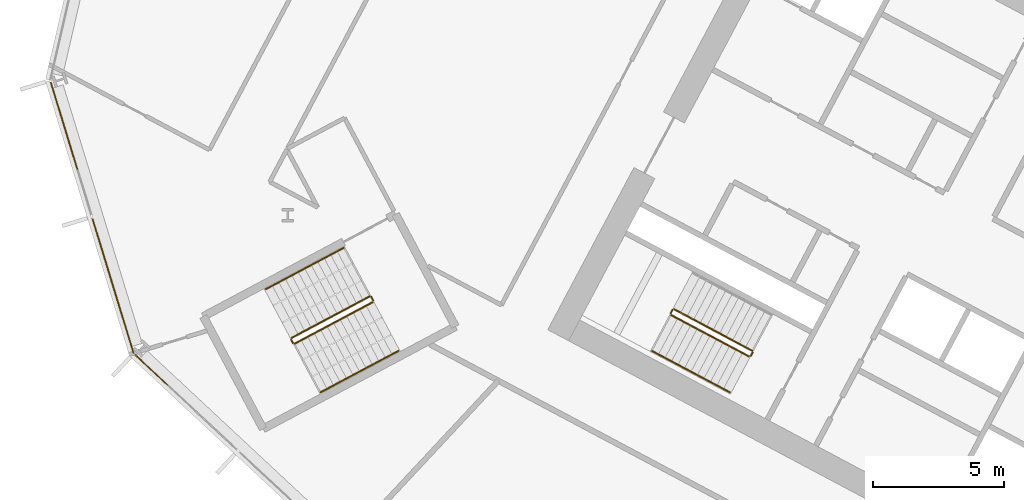
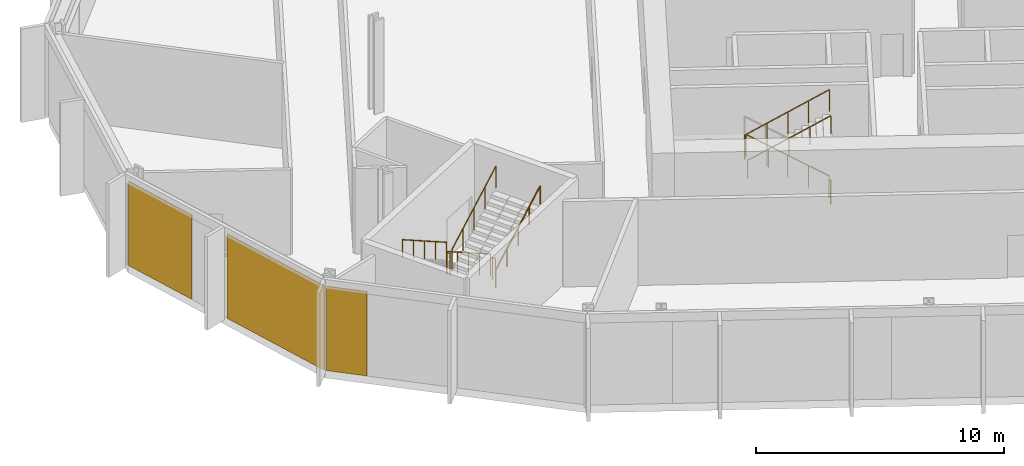
# One storey, part 23 of 31: 11 railings, 3 coverings, 2 elements without a shape of their own.
"""IFC4 building model written with IfcOpenShell, lengths in metres."""

from ifc_helpers import new_model, si_unit, direction, frame, origin, origin_2d, place, context, subcontext, project, spatial, polyline, rectangle, outline, extrude, material, layer, layer_set, type_object, element, aggregate, save


model = new_model("IFC4")

# Units and contexts
model_context = context("Model", 3, precision=1e-05, world=origin(), true_north=direction((0.0, 1.0)))
body_context = subcontext(model_context, "Body", "Model", "MODEL_VIEW")
ifc_project = project(units=[si_unit("LENGTHUNIT", "METRE"), si_unit("AREAUNIT", "SQUARE_METRE"), si_unit("VOLUMEUNIT", "CUBIC_METRE"), si_unit("PLANEANGLEUNIT", "RADIAN"), si_unit("MASSUNIT", "GRAM", prefix="KILO")], contexts=[model_context])

# Site, building, storey
site_placement = place(None, origin())
site = spatial("IfcSite", under=ifc_project, at=site_placement, CompositionType="ELEMENT")
building_placement = place(site_placement, origin())
building = spatial("IfcBuilding", under=site, at=building_placement, Name="Cormorant Relay Tower", CompositionType="ELEMENT")
storey_placement = place(building_placement, frame((0.0, 0.0, 98.39990234375)))
storey = spatial("IfcBuildingStorey", under=building, at=storey_placement, Name="L19", CompositionType="ELEMENT", Elevation=98.39990234375)

# Curtain wall, coverings
ifc_material_1 = material(Name="Aluminium 6063-T6 anodised bronze", Category="aluminium")
ifc_layer_1 = layer(ifc_material_1, 0.199951171875)
ifc_layer_set_1 = layer_set([ifc_layer_1], Name="CW1 unitised bronze curtain wall with vertical fins")
curtain_wall_type = type_object("IfcCurtainWallType", Name="CW1 unitised bronze curtain wall with vertical fins", PredefinedType="NOTDEFINED", material=ifc_layer_set_1)
curtain_wall_1_placement = place(storey_placement, origin())
curtain_wall_1 = element("IfcCurtainWall", 1, at=curtain_wall_1_placement, inside=storey, type_object=curtain_wall_type, Name="CW1 curtain wall 12", PredefinedType="NOTDEFINED")
ifc_material_2 = material(Name="Pale bronze anodised aluminium insulated panel", Category="aluminium")
ifc_layer_2 = layer(ifc_material_2, 0.0400390625)
ifc_layer_set_2 = layer_set([ifc_layer_2], Name="CW1 pale bronze insulated panel 40")
covering_type = type_object("IfcCoveringType", Name="CW1 pale bronze insulated panel 40", PredefinedType="CLADDING", material=ifc_layer_set_2)
covering_1_placement = place(storey_placement, frame((-60.20751953125, 18.6494140625, 0.000244140625), z_axis=(0.0, 0.0, 1.0), x_axis=(0.292371704723, -0.956304755963, 0.0)))
covering_1 = element("IfcCovering", 2, at=covering_1_placement, type_object=covering_type, Name="CW1 panel S00", PredefinedType="CLADDING", context=body_context, shape_type="SweptSolid", body=[
    extrude(rectangle(XDim=3.485107421875, YDim=0.0400390625, at=origin_2d()), origin(), (0.0, 0.0, 1.0), 4.14990234375),
])
covering_2_placement = place(storey_placement, frame((-58.344482421875, 12.55517578125, 0.000244140625), z_axis=(0.0, 0.0, 1.0), x_axis=(0.292371704723, -0.956304755963, 0.0)))
covering_2 = element("IfcCovering", 3, at=covering_2_placement, type_object=covering_type, Name="CW1 panel S02", PredefinedType="CLADDING", context=body_context, shape_type="SweptSolid", body=[
    extrude(rectangle(XDim=5.360107421875, YDim=0.0400390625, at=origin_2d()), origin(), (0.0, 0.0, 1.0), 4.14990234375),
])
aggregate(curtain_wall_1, [covering_1, covering_2])

# Curtain wall, covering
curtain_wall_2_placement = place(storey_placement, origin())
curtain_wall_2 = element("IfcCurtainWall", 4, at=curtain_wall_2_placement, inside=storey, type_object=curtain_wall_type, Name="CW1 curtain wall 13", PredefinedType="NOTDEFINED")
covering_3_placement = place(storey_placement, frame((-56.88427734375, 9.357421875, 0.000244140625), z_axis=(0.0, 0.0, 1.0), x_axis=(0.731353701619, -0.681998360062, 0.0)))
covering_3 = element("IfcCovering", 5, at=covering_3_placement, type_object=covering_type, Name="CW1 panel S00", PredefinedType="CLADDING", context=body_context, shape_type="SweptSolid", body=[
    extrude(rectangle(XDim=1.685302734375, YDim=0.0400390625, at=origin_2d()), origin(), (0.0, 0.0, 1.0), 4.14990234375),
])
aggregate(curtain_wall_2, [covering_3])

# Railings
ifc_material_3 = material(Name="Steel ASTM A572 Grade 50 (Fy 345 MPa)", Category="steel")
railing_type_1 = type_object("IfcRailingType", Name="Stair guard 1100", PredefinedType="GUARDRAIL", material=ifc_material_3)
railing_1_placement = place(storey_placement, frame((-33.9921875, 10.08935546875, 0.177001953125)))
element("IfcRailing", 6, at=railing_1_placement, inside=storey, type_object=railing_type_1, Name="L19 A2 stair guard 1", PredefinedType="GUARDRAIL", context=body_context, shape_type="SweptSolid", body=[
    extrude(outline(polyline([(0.022216796875, 0.00927734375), (0.00927734375, 0.022216796875), (-0.00927734375, 0.022216796875), (-0.022216796875, 0.00927734375), (-0.022216796875, -0.00927734375), (-0.00927734375, -0.022216796875), (0.00927734375, -0.022216796875), (0.022216796875, -0.00927734375), (0.022216796875, 0.00927734375)])), frame((0.0, 0.0, 1.076171875), z_axis=(-0.746440668329, 0.396869088057, 0.534154711306), x_axis=(-0.46945269911, -0.882957622595, 0.0)), (0.0, 0.0, 1.0), 3.974609375),
    extrude(outline(polyline([(0.019287109375, 0.008056640625), (0.008056640625, 0.019287109375), (-0.008056640625, 0.019287109375), (-0.019287109375, 0.008056640625), (-0.019287109375, -0.008056640625), (-0.008056640625, -0.019287109375), (0.008056640625, -0.019287109375), (0.019287109375, -0.008056640625), (0.019287109375, 0.008056640625)])), origin(), (0.0, 0.0, 1.0), 1.052001953125),
    extrude(outline(polyline([(0.019287109375, 0.008056640625), (0.008056640625, 0.019287109375), (-0.008056640625, 0.019287109375), (-0.019287109375, 0.008056640625), (-0.019287109375, -0.008056640625), (-0.008056640625, -0.019287109375), (0.008056640625, -0.019287109375), (0.019287109375, -0.008056640625), (0.019287109375, 0.008056640625)])), frame((-0.74169921875, 0.394287109375, 0.53076171875)), (0.0, 0.0, 1.0), 1.052001953125),
    extrude(outline(polyline([(0.019287109375, 0.008056640625), (0.008056640625, 0.019287109375), (-0.008056640625, 0.019287109375), (-0.019287109375, 0.008056640625), (-0.019287109375, -0.008056640625), (-0.008056640625, -0.019287109375), (0.008056640625, -0.019287109375), (0.019287109375, -0.008056640625), (0.019287109375, 0.008056640625)])), frame((-1.4833984375, 0.78857421875, 1.0615234375)), (0.0, 0.0, 1.0), 1.052001953125),
    extrude(outline(polyline([(0.019287109375, 0.008056640625), (0.008056640625, 0.019287109375), (-0.008056640625, 0.019287109375), (-0.019287109375, 0.008056640625), (-0.019287109375, -0.008056640625), (-0.008056640625, -0.019287109375), (0.008056640625, -0.019287109375), (0.019287109375, -0.008056640625), (0.019287109375, 0.008056640625)])), frame((-2.22509765625, 1.18310546875, 1.59228515625)), (0.0, 0.0, 1.0), 1.052001953125),
    extrude(outline(polyline([(0.019287109375, 0.008056640625), (0.008056640625, 0.019287109375), (-0.008056640625, 0.019287109375), (-0.019287109375, 0.008056640625), (-0.019287109375, -0.008056640625), (-0.008056640625, -0.019287109375), (0.008056640625, -0.019287109375), (0.019287109375, -0.008056640625), (0.019287109375, 0.008056640625)])), frame((-2.966796875, 1.577392578125, 2.123046875)), (0.0, 0.0, 1.0), 1.052001953125),
])
railing_2_placement = place(storey_placement, frame((-37.026611328125, 11.64599609375, 2.300048828125)))
element("IfcRailing", 7, at=railing_2_placement, inside=storey, type_object=railing_type_1, Name="L19 A2 stair guard 2", PredefinedType="GUARDRAIL", context=body_context, shape_type="SweptSolid", body=[
    extrude(outline(polyline([(0.022216796875, 0.00927734375), (0.00927734375, 0.022216796875), (-0.00927734375, 0.022216796875), (-0.022216796875, 0.00927734375), (-0.022216796875, -0.00927734375), (-0.00927734375, -0.022216796875), (0.00927734375, -0.022216796875), (0.022216796875, -0.00927734375), (0.022216796875, 0.00927734375)])), frame((0.0, 0.0, 1.076171875), z_axis=(-0.469234640946, -0.883073525669, 0.0), x_axis=(0.883073525669, -0.469234640946, 0.0)), (0.0, 0.0, 1.0), 0.14990234375),
    extrude(outline(polyline([(0.019287109375, 0.008056640625), (0.008056640625, 0.019287109375), (-0.008056640625, 0.019287109375), (-0.019287109375, 0.008056640625), (-0.019287109375, -0.008056640625), (-0.008056640625, -0.019287109375), (0.008056640625, -0.019287109375), (0.019287109375, -0.008056640625), (0.019287109375, 0.008056640625)])), origin(), (0.0, 0.0, 1.0), 1.052001953125),
    extrude(outline(polyline([(0.019287109375, 0.008056640625), (0.008056640625, 0.019287109375), (-0.008056640625, 0.019287109375), (-0.019287109375, 0.008056640625), (-0.019287109375, -0.008056640625), (-0.008056640625, -0.019287109375), (0.008056640625, -0.019287109375), (0.019287109375, -0.008056640625), (0.019287109375, 0.008056640625)])), frame((-0.0703125, -0.13232421875, 0.0)), (0.0, 0.0, 1.0), 1.052001953125),
])
railing_3_placement = place(storey_placement, frame((-37.076171875, 11.446044921875, 2.47705078125)))
element("IfcRailing", 8, at=railing_3_placement, inside=storey, type_object=railing_type_1, Name="L19 A2 stair guard 3", PredefinedType="GUARDRAIL", context=body_context, shape_type="SweptSolid", body=[
    extrude(outline(polyline([(0.022216796875, 0.00927734375), (0.00927734375, 0.022216796875), (-0.00927734375, 0.022216796875), (-0.022216796875, 0.00927734375), (-0.022216796875, -0.00927734375), (-0.00927734375, -0.022216796875), (0.00927734375, -0.022216796875), (0.022216796875, -0.00927734375), (0.022216796875, 0.00927734375)])), frame((0.0, 0.0, 1.076171875), z_axis=(0.746413465702, -0.396887285154, 0.534179203172), x_axis=(0.469482818608, 0.88294160794, 0.0)), (0.0, 0.0, 1.0), 3.974365234375),
    extrude(outline(polyline([(0.019287109375, 0.008056640625), (0.008056640625, 0.019287109375), (-0.008056640625, 0.019287109375), (-0.019287109375, 0.008056640625), (-0.019287109375, -0.008056640625), (-0.008056640625, -0.019287109375), (0.008056640625, -0.019287109375), (0.019287109375, -0.008056640625), (0.019287109375, 0.008056640625)])), origin(), (0.0, 0.0, 1.0), 1.052001953125),
    extrude(outline(polyline([(0.019287109375, 0.008056640625), (0.008056640625, 0.019287109375), (-0.008056640625, 0.019287109375), (-0.019287109375, 0.008056640625), (-0.019287109375, -0.008056640625), (-0.008056640625, -0.019287109375), (0.008056640625, -0.019287109375), (0.019287109375, -0.008056640625), (0.019287109375, 0.008056640625)])), frame((0.74169921875, -0.394287109375, 0.53076171875)), (0.0, 0.0, 1.0), 1.052001953125),
    extrude(outline(polyline([(0.019287109375, 0.008056640625), (0.008056640625, 0.019287109375), (-0.008056640625, 0.019287109375), (-0.019287109375, 0.008056640625), (-0.019287109375, -0.008056640625), (-0.008056640625, -0.019287109375), (0.008056640625, -0.019287109375), (0.019287109375, -0.008056640625), (0.019287109375, 0.008056640625)])), frame((1.4833984375, -0.78857421875, 1.0615234375)), (0.0, 0.0, 1.0), 1.052001953125),
    extrude(outline(polyline([(0.019287109375, 0.008056640625), (0.008056640625, 0.019287109375), (-0.008056640625, 0.019287109375), (-0.019287109375, 0.008056640625), (-0.019287109375, -0.008056640625), (-0.008056640625, -0.019287109375), (0.008056640625, -0.019287109375), (0.019287109375, -0.008056640625), (0.019287109375, 0.008056640625)])), frame((2.224853515625, -1.18310546875, 1.59228515625)), (0.0, 0.0, 1.0), 1.052001953125),
    extrude(outline(polyline([(0.019287109375, 0.008056640625), (0.008056640625, 0.019287109375), (-0.008056640625, 0.019287109375), (-0.019287109375, 0.008056640625), (-0.019287109375, -0.008056640625), (-0.008056640625, -0.019287109375), (0.008056640625, -0.019287109375), (0.019287109375, -0.008056640625), (0.019287109375, 0.008056640625)])), frame((2.966552734375, -1.577392578125, 2.123046875)), (0.0, 0.0, 1.0), 1.052001953125),
])
railing_4_placement = place(storey_placement, frame((-33.971435546875, 10.021728515625, 0.0)))
element("IfcRailing", 9, at=railing_4_placement, inside=storey, type_object=railing_type_1, Name="L19 A2 stair guard 4", PredefinedType="GUARDRAIL", context=body_context, shape_type="SweptSolid", body=[
    extrude(outline(polyline([(0.022216796875, 0.00927734375), (0.00927734375, 0.022216796875), (-0.00927734375, 0.022216796875), (-0.022216796875, 0.00927734375), (-0.022216796875, -0.00927734375), (-0.00927734375, -0.022216796875), (0.00927734375, -0.022216796875), (0.022216796875, -0.00927734375), (0.022216796875, 0.00927734375)])), frame((0.0, 0.0, 1.076171875), z_axis=(-0.470503732759, -0.882398003998, 0.0), x_axis=(0.882398003998, -0.470503732759, 0.0)), (0.0, 0.0, 1.0), 0.14990234375),
    extrude(outline(polyline([(0.019287109375, 0.008056640625), (0.008056640625, 0.019287109375), (-0.008056640625, 0.019287109375), (-0.019287109375, 0.008056640625), (-0.019287109375, -0.008056640625), (-0.008056640625, -0.019287109375), (0.008056640625, -0.019287109375), (0.019287109375, -0.008056640625), (0.019287109375, 0.008056640625)])), origin(), (0.0, 0.0, 1.0), 1.052001953125),
    extrude(outline(polyline([(0.019287109375, 0.008056640625), (0.008056640625, 0.019287109375), (-0.008056640625, 0.019287109375), (-0.019287109375, 0.008056640625), (-0.019287109375, -0.008056640625), (-0.008056640625, -0.019287109375), (0.008056640625, -0.019287109375), (0.019287109375, -0.008056640625), (0.019287109375, 0.008056640625)])), frame((-0.070556640625, -0.13232421875, 0.0)), (0.0, 0.0, 1.0), 1.052001953125),
])
railing_5_placement = place(storey_placement, frame((-48.5693359375, 12.155517578125, 0.177001953125)))
element("IfcRailing", 10, at=railing_5_placement, inside=storey, type_object=railing_type_1, Name="L19 RP1 stair guard 1", PredefinedType="GUARDRAIL", context=body_context, shape_type="SweptSolid", body=[
    extrude(outline(polyline([(0.022216796875, 0.00927734375), (0.00927734375, 0.022216796875), (-0.00927734375, 0.022216796875), (-0.022216796875, 0.00927734375), (-0.022216796875, -0.00927734375), (-0.00927734375, -0.022216796875), (0.00927734375, -0.022216796875), (0.022216796875, -0.00927734375), (0.022216796875, 0.00927734375)])), frame((0.0, 0.0, 1.076171875), z_axis=(-0.746422470992, -0.396920836698, 0.534141689248), x_axis=(0.469509342547, -0.882927503967, 0.0)), (0.0, 0.0, 1.0), 3.974609375),
    extrude(outline(polyline([(0.019287109375, 0.008056640625), (0.008056640625, 0.019287109375), (-0.008056640625, 0.019287109375), (-0.019287109375, 0.008056640625), (-0.019287109375, -0.008056640625), (-0.008056640625, -0.019287109375), (0.008056640625, -0.019287109375), (0.019287109375, -0.008056640625), (0.019287109375, 0.008056640625)])), origin(), (0.0, 0.0, 1.0), 1.052001953125),
    extrude(outline(polyline([(0.019287109375, 0.008056640625), (0.008056640625, 0.019287109375), (-0.008056640625, 0.019287109375), (-0.019287109375, 0.008056640625), (-0.019287109375, -0.008056640625), (-0.008056640625, -0.019287109375), (0.008056640625, -0.019287109375), (0.019287109375, -0.008056640625), (0.019287109375, 0.008056640625)])), frame((-0.74169921875, -0.39453125, 0.53076171875)), (0.0, 0.0, 1.0), 1.052001953125),
    extrude(outline(polyline([(0.019287109375, 0.008056640625), (0.008056640625, 0.019287109375), (-0.008056640625, 0.019287109375), (-0.019287109375, 0.008056640625), (-0.019287109375, -0.008056640625), (-0.008056640625, -0.019287109375), (0.008056640625, -0.019287109375), (0.019287109375, -0.008056640625), (0.019287109375, 0.008056640625)])), frame((-1.4833984375, -0.788818359375, 1.0615234375)), (0.0, 0.0, 1.0), 1.052001953125),
    extrude(outline(polyline([(0.019287109375, 0.008056640625), (0.008056640625, 0.019287109375), (-0.008056640625, 0.019287109375), (-0.019287109375, 0.008056640625), (-0.019287109375, -0.008056640625), (-0.008056640625, -0.019287109375), (0.008056640625, -0.019287109375), (0.019287109375, -0.008056640625), (0.019287109375, 0.008056640625)])), frame((-2.22509765625, -1.18310546875, 1.59228515625)), (0.0, 0.0, 1.0), 1.052001953125),
    extrude(outline(polyline([(0.019287109375, 0.008056640625), (0.008056640625, 0.019287109375), (-0.008056640625, 0.019287109375), (-0.019287109375, 0.008056640625), (-0.019287109375, -0.008056640625), (-0.008056640625, -0.019287109375), (0.008056640625, -0.019287109375), (0.019287109375, -0.008056640625), (0.019287109375, 0.008056640625)])), frame((-2.966796875, -1.57763671875, 2.123046875)), (0.0, 0.0, 1.0), 1.052001953125),
])
railing_6_placement = place(storey_placement, frame((-51.556640625, 10.51025390625, 2.300048828125)))
element("IfcRailing", 11, at=railing_6_placement, inside=storey, type_object=railing_type_1, Name="L19 RP1 stair guard 2", PredefinedType="GUARDRAIL", context=body_context, shape_type="SweptSolid", body=[
    extrude(outline(polyline([(0.022216796875, 0.00927734375), (0.00927734375, 0.022216796875), (-0.00927734375, 0.022216796875), (-0.022216796875, 0.00927734375), (-0.022216796875, -0.00927734375), (-0.00927734375, -0.022216796875), (0.00927734375, -0.022216796875), (0.022216796875, -0.00927734375), (0.022216796875, 0.00927734375)])), frame((0.0, 0.0, 1.076171875), z_axis=(0.469234640946, -0.883073525669, 0.0), x_axis=(0.883073525669, 0.469234640946, 0.0)), (0.0, 0.0, 1.0), 0.14990234375),
    extrude(outline(polyline([(0.019287109375, 0.008056640625), (0.008056640625, 0.019287109375), (-0.008056640625, 0.019287109375), (-0.019287109375, 0.008056640625), (-0.019287109375, -0.008056640625), (-0.008056640625, -0.019287109375), (0.008056640625, -0.019287109375), (0.019287109375, -0.008056640625), (0.019287109375, 0.008056640625)])), origin(), (0.0, 0.0, 1.0), 1.052001953125),
    extrude(outline(polyline([(0.019287109375, 0.008056640625), (0.008056640625, 0.019287109375), (-0.008056640625, 0.019287109375), (-0.019287109375, 0.008056640625), (-0.019287109375, -0.008056640625), (-0.008056640625, -0.019287109375), (0.008056640625, -0.019287109375), (0.019287109375, -0.008056640625), (0.019287109375, 0.008056640625)])), frame((0.0703125, -0.13232421875, 0.0)), (0.0, 0.0, 1.0), 1.052001953125),
])
railing_7_placement = place(storey_placement, frame((-51.418701171875, 10.357177734375, 2.47705078125)))
element("IfcRailing", 12, at=railing_7_placement, inside=storey, type_object=railing_type_1, Name="L19 RP1 stair guard 3", PredefinedType="GUARDRAIL", context=body_context, shape_type="SweptSolid", body=[
    extrude(outline(polyline([(0.022216796875, 0.00927734375), (0.00927734375, 0.022216796875), (-0.00927734375, 0.022216796875), (-0.022216796875, 0.00927734375), (-0.022216796875, -0.00927734375), (-0.00927734375, -0.022216796875), (0.00927734375, -0.022216796875), (0.022216796875, -0.00927734375), (0.022216796875, 0.00927734375)])), frame((0.0, 0.0, 1.076171875), z_axis=(0.746440668329, 0.396869088057, 0.534154711306), x_axis=(-0.46945269911, 0.882957622595, 0.0)), (0.0, 0.0, 1.0), 3.974609375),
    extrude(outline(polyline([(0.019287109375, 0.008056640625), (0.008056640625, 0.019287109375), (-0.008056640625, 0.019287109375), (-0.019287109375, 0.008056640625), (-0.019287109375, -0.008056640625), (-0.008056640625, -0.019287109375), (0.008056640625, -0.019287109375), (0.019287109375, -0.008056640625), (0.019287109375, 0.008056640625)])), origin(), (0.0, 0.0, 1.0), 1.052001953125),
    extrude(outline(polyline([(0.019287109375, 0.008056640625), (0.008056640625, 0.019287109375), (-0.008056640625, 0.019287109375), (-0.019287109375, 0.008056640625), (-0.019287109375, -0.008056640625), (-0.008056640625, -0.019287109375), (0.008056640625, -0.019287109375), (0.019287109375, -0.008056640625), (0.019287109375, 0.008056640625)])), frame((0.74169921875, 0.394287109375, 0.53076171875)), (0.0, 0.0, 1.0), 1.052001953125),
    extrude(outline(polyline([(0.019287109375, 0.008056640625), (0.008056640625, 0.019287109375), (-0.008056640625, 0.019287109375), (-0.019287109375, 0.008056640625), (-0.019287109375, -0.008056640625), (-0.008056640625, -0.019287109375), (0.008056640625, -0.019287109375), (0.019287109375, -0.008056640625), (0.019287109375, 0.008056640625)])), frame((1.4833984375, 0.78857421875, 1.0615234375)), (0.0, 0.0, 1.0), 1.052001953125),
    extrude(outline(polyline([(0.019287109375, 0.008056640625), (0.008056640625, 0.019287109375), (-0.008056640625, 0.019287109375), (-0.019287109375, 0.008056640625), (-0.019287109375, -0.008056640625), (-0.008056640625, -0.019287109375), (0.008056640625, -0.019287109375), (0.019287109375, -0.008056640625), (0.019287109375, 0.008056640625)])), frame((2.22509765625, 1.18310546875, 1.59228515625)), (0.0, 0.0, 1.0), 1.052001953125),
    extrude(outline(polyline([(0.019287109375, 0.008056640625), (0.008056640625, 0.019287109375), (-0.008056640625, 0.019287109375), (-0.019287109375, 0.008056640625), (-0.019287109375, -0.008056640625), (-0.008056640625, -0.019287109375), (0.008056640625, -0.019287109375), (0.019287109375, -0.008056640625), (0.019287109375, 0.008056640625)])), frame((2.966796875, 1.577392578125, 2.123046875)), (0.0, 0.0, 1.0), 1.052001953125),
])
railing_8_placement = place(storey_placement, frame((-48.501708984375, 12.134765625, 0.0)))
element("IfcRailing", 13, at=railing_8_placement, inside=storey, type_object=railing_type_1, Name="L19 RP1 stair guard 4", PredefinedType="GUARDRAIL", context=body_context, shape_type="SweptSolid", body=[
    extrude(outline(polyline([(0.022216796875, 0.00927734375), (0.00927734375, 0.022216796875), (-0.00927734375, 0.022216796875), (-0.022216796875, 0.00927734375), (-0.022216796875, -0.00927734375), (-0.00927734375, -0.022216796875), (0.00927734375, -0.022216796875), (0.022216796875, -0.00927734375), (0.022216796875, 0.00927734375)])), frame((0.0, 0.0, 1.076171875), z_axis=(0.46856034887, -0.8834314911, 0.0), x_axis=(0.8834314911, 0.46856034887, 0.0)), (0.0, 0.0, 1.0), 0.150146484375),
    extrude(outline(polyline([(0.019287109375, 0.008056640625), (0.008056640625, 0.019287109375), (-0.008056640625, 0.019287109375), (-0.019287109375, 0.008056640625), (-0.019287109375, -0.008056640625), (-0.008056640625, -0.019287109375), (0.008056640625, -0.019287109375), (0.019287109375, -0.008056640625), (0.019287109375, 0.008056640625)])), origin(), (0.0, 0.0, 1.0), 1.052001953125),
    extrude(outline(polyline([(0.019287109375, 0.008056640625), (0.008056640625, 0.019287109375), (-0.008056640625, 0.019287109375), (-0.019287109375, 0.008056640625), (-0.019287109375, -0.008056640625), (-0.008056640625, -0.019287109375), (0.008056640625, -0.019287109375), (0.019287109375, -0.008056640625), (0.019287109375, 0.008056640625)])), frame((0.0703125, -0.132568359375, 0.0)), (0.0, 0.0, 1.0), 1.052001953125),
])
ifc_material_4 = material(Name="Steel ASTM A572 Grade 50 (Fy 345 MPa)", Category="steel")
railing_type_2 = type_object("IfcRailingType", Name="Stair handrail 900", PredefinedType="HANDRAIL", material=ifc_material_4)
railing_9_placement = place(storey_placement, frame((-37.803955078125, 10.077392578125, 2.47705078125)))
element("IfcRailing", 14, at=railing_9_placement, inside=storey, type_object=railing_type_2, Name="L19 A2 stair handrail 2", PredefinedType="HANDRAIL", context=body_context, shape_type="SweptSolid", body=[
    extrude(outline(polyline([(0.022216796875, 0.00927734375), (0.00927734375, 0.022216796875), (-0.00927734375, 0.022216796875), (-0.022216796875, 0.00927734375), (-0.022216796875, -0.00927734375), (-0.00927734375, -0.022216796875), (0.00927734375, -0.022216796875), (0.022216796875, -0.00927734375), (0.022216796875, 0.00927734375)])), frame((0.0, 0.0, 0.8759765625), z_axis=(0.746440668329, -0.396869088057, 0.534154711306), x_axis=(0.46945269911, 0.882957622595, 0.0)), (0.0, 0.0, 1.0), 3.974609375),
    extrude(outline(polyline([(0.019287109375, 0.008056640625), (0.008056640625, 0.019287109375), (-0.008056640625, 0.019287109375), (-0.019287109375, 0.008056640625), (-0.019287109375, -0.008056640625), (-0.008056640625, -0.019287109375), (0.008056640625, -0.019287109375), (0.019287109375, -0.008056640625), (0.019287109375, 0.008056640625)])), origin(), (0.0, 0.0, 1.0), 0.851806640625),
    extrude(outline(polyline([(0.019287109375, 0.008056640625), (0.008056640625, 0.019287109375), (-0.008056640625, 0.019287109375), (-0.019287109375, 0.008056640625), (-0.019287109375, -0.008056640625), (-0.008056640625, -0.019287109375), (0.008056640625, -0.019287109375), (0.019287109375, -0.008056640625), (0.019287109375, 0.008056640625)])), frame((0.74169921875, -0.394287109375, 0.53076171875)), (0.0, 0.0, 1.0), 0.851806640625),
    extrude(outline(polyline([(0.019287109375, 0.008056640625), (0.008056640625, 0.019287109375), (-0.008056640625, 0.019287109375), (-0.019287109375, 0.008056640625), (-0.019287109375, -0.008056640625), (-0.008056640625, -0.019287109375), (0.008056640625, -0.019287109375), (0.019287109375, -0.008056640625), (0.019287109375, 0.008056640625)])), frame((1.4833984375, -0.78857421875, 1.0615234375)), (0.0, 0.0, 1.0), 0.851806640625),
    extrude(outline(polyline([(0.019287109375, 0.008056640625), (0.008056640625, 0.019287109375), (-0.008056640625, 0.019287109375), (-0.019287109375, 0.008056640625), (-0.019287109375, -0.008056640625), (-0.008056640625, -0.019287109375), (0.008056640625, -0.019287109375), (0.019287109375, -0.008056640625), (0.019287109375, 0.008056640625)])), frame((2.22509765625, -1.18310546875, 1.59228515625)), (0.0, 0.0, 1.0), 0.851806640625),
    extrude(outline(polyline([(0.019287109375, 0.008056640625), (0.008056640625, 0.019287109375), (-0.008056640625, 0.019287109375), (-0.019287109375, 0.008056640625), (-0.019287109375, -0.008056640625), (-0.008056640625, -0.019287109375), (0.008056640625, -0.019287109375), (0.019287109375, -0.008056640625), (0.019287109375, 0.008056640625)])), frame((2.966796875, -1.577392578125, 2.123046875)), (0.0, 0.0, 1.0), 0.851806640625),
])
railing_10_placement = place(storey_placement, frame((-49.55517578125, 14.009521484375, 0.177001953125)))
element("IfcRailing", 15, at=railing_10_placement, inside=storey, type_object=railing_type_2, Name="L19 RP1 stair handrail 1", PredefinedType="HANDRAIL", context=body_context, shape_type="SweptSolid", body=[
    extrude(outline(polyline([(0.022216796875, 0.00927734375), (0.00927734375, 0.022216796875), (-0.00927734375, 0.022216796875), (-0.022216796875, 0.00927734375), (-0.022216796875, -0.00927734375), (-0.00927734375, -0.022216796875), (0.00927734375, -0.022216796875), (0.022216796875, -0.00927734375), (0.022216796875, 0.00927734375)])), frame((0.0, 0.0, 0.8759765625), z_axis=(-0.746440668329, -0.396869088057, 0.534154711306), x_axis=(0.46945269911, -0.882957622595, 0.0)), (0.0, 0.0, 1.0), 3.974609375),
    extrude(outline(polyline([(0.019287109375, 0.008056640625), (0.008056640625, 0.019287109375), (-0.008056640625, 0.019287109375), (-0.019287109375, 0.008056640625), (-0.019287109375, -0.008056640625), (-0.008056640625, -0.019287109375), (0.008056640625, -0.019287109375), (0.019287109375, -0.008056640625), (0.019287109375, 0.008056640625)])), origin(), (0.0, 0.0, 1.0), 0.851806640625),
    extrude(outline(polyline([(0.019287109375, 0.008056640625), (0.008056640625, 0.019287109375), (-0.008056640625, 0.019287109375), (-0.019287109375, 0.008056640625), (-0.019287109375, -0.008056640625), (-0.008056640625, -0.019287109375), (0.008056640625, -0.019287109375), (0.019287109375, -0.008056640625), (0.019287109375, 0.008056640625)])), frame((-0.74169921875, -0.394287109375, 0.53076171875)), (0.0, 0.0, 1.0), 0.851806640625),
    extrude(outline(polyline([(0.019287109375, 0.008056640625), (0.008056640625, 0.019287109375), (-0.008056640625, 0.019287109375), (-0.019287109375, 0.008056640625), (-0.019287109375, -0.008056640625), (-0.008056640625, -0.019287109375), (0.008056640625, -0.019287109375), (0.019287109375, -0.008056640625), (0.019287109375, 0.008056640625)])), frame((-1.4833984375, -0.78857421875, 1.0615234375)), (0.0, 0.0, 1.0), 0.851806640625),
    extrude(outline(polyline([(0.019287109375, 0.008056640625), (0.008056640625, 0.019287109375), (-0.008056640625, 0.019287109375), (-0.019287109375, 0.008056640625), (-0.019287109375, -0.008056640625), (-0.008056640625, -0.019287109375), (0.008056640625, -0.019287109375), (0.019287109375, -0.008056640625), (0.019287109375, 0.008056640625)])), frame((-2.22509765625, -1.18310546875, 1.59228515625)), (0.0, 0.0, 1.0), 0.851806640625),
    extrude(outline(polyline([(0.019287109375, 0.008056640625), (0.008056640625, 0.019287109375), (-0.008056640625, 0.019287109375), (-0.019287109375, 0.008056640625), (-0.019287109375, -0.008056640625), (-0.008056640625, -0.019287109375), (0.008056640625, -0.019287109375), (0.019287109375, -0.008056640625), (0.019287109375, 0.008056640625)])), frame((-2.966796875, -1.577392578125, 2.123046875)), (0.0, 0.0, 1.0), 0.851806640625),
])
railing_11_placement = place(storey_placement, frame((-50.432861328125, 8.503173828125, 2.47705078125)))
element("IfcRailing", 16, at=railing_11_placement, inside=storey, type_object=railing_type_2, Name="L19 RP1 stair handrail 2", PredefinedType="HANDRAIL", context=body_context, shape_type="SweptSolid", body=[
    extrude(outline(polyline([(0.022216796875, 0.00927734375), (0.00927734375, 0.022216796875), (-0.00927734375, 0.022216796875), (-0.022216796875, 0.00927734375), (-0.022216796875, -0.00927734375), (-0.00927734375, -0.022216796875), (0.00927734375, -0.022216796875), (0.022216796875, -0.00927734375), (0.022216796875, 0.00927734375)])), frame((0.0, 0.0, 0.8759765625), z_axis=(0.746440668329, 0.396869088057, 0.534154711306), x_axis=(-0.46945269911, 0.882957622595, 0.0)), (0.0, 0.0, 1.0), 3.974609375),
    extrude(outline(polyline([(0.019287109375, 0.008056640625), (0.008056640625, 0.019287109375), (-0.008056640625, 0.019287109375), (-0.019287109375, 0.008056640625), (-0.019287109375, -0.008056640625), (-0.008056640625, -0.019287109375), (0.008056640625, -0.019287109375), (0.019287109375, -0.008056640625), (0.019287109375, 0.008056640625)])), origin(), (0.0, 0.0, 1.0), 0.851806640625),
    extrude(outline(polyline([(0.019287109375, 0.008056640625), (0.008056640625, 0.019287109375), (-0.008056640625, 0.019287109375), (-0.019287109375, 0.008056640625), (-0.019287109375, -0.008056640625), (-0.008056640625, -0.019287109375), (0.008056640625, -0.019287109375), (0.019287109375, -0.008056640625), (0.019287109375, 0.008056640625)])), frame((0.74169921875, 0.394287109375, 0.53076171875)), (0.0, 0.0, 1.0), 0.851806640625),
    extrude(outline(polyline([(0.019287109375, 0.008056640625), (0.008056640625, 0.019287109375), (-0.008056640625, 0.019287109375), (-0.019287109375, 0.008056640625), (-0.019287109375, -0.008056640625), (-0.008056640625, -0.019287109375), (0.008056640625, -0.019287109375), (0.019287109375, -0.008056640625), (0.019287109375, 0.008056640625)])), frame((1.4833984375, 0.78857421875, 1.0615234375)), (0.0, 0.0, 1.0), 0.851806640625),
    extrude(outline(polyline([(0.019287109375, 0.008056640625), (0.008056640625, 0.019287109375), (-0.008056640625, 0.019287109375), (-0.019287109375, 0.008056640625), (-0.019287109375, -0.008056640625), (-0.008056640625, -0.019287109375), (0.008056640625, -0.019287109375), (0.019287109375, -0.008056640625), (0.019287109375, 0.008056640625)])), frame((2.22509765625, 1.18310546875, 1.59228515625)), (0.0, 0.0, 1.0), 0.851806640625),
    extrude(outline(polyline([(0.019287109375, 0.008056640625), (0.008056640625, 0.019287109375), (-0.008056640625, 0.019287109375), (-0.019287109375, 0.008056640625), (-0.019287109375, -0.008056640625), (-0.008056640625, -0.019287109375), (0.008056640625, -0.019287109375), (0.019287109375, -0.008056640625), (0.019287109375, 0.008056640625)])), frame((2.966796875, 1.577392578125, 2.123046875)), (0.0, 0.0, 1.0), 0.851806640625),
])

save(model, "model.ifc")
